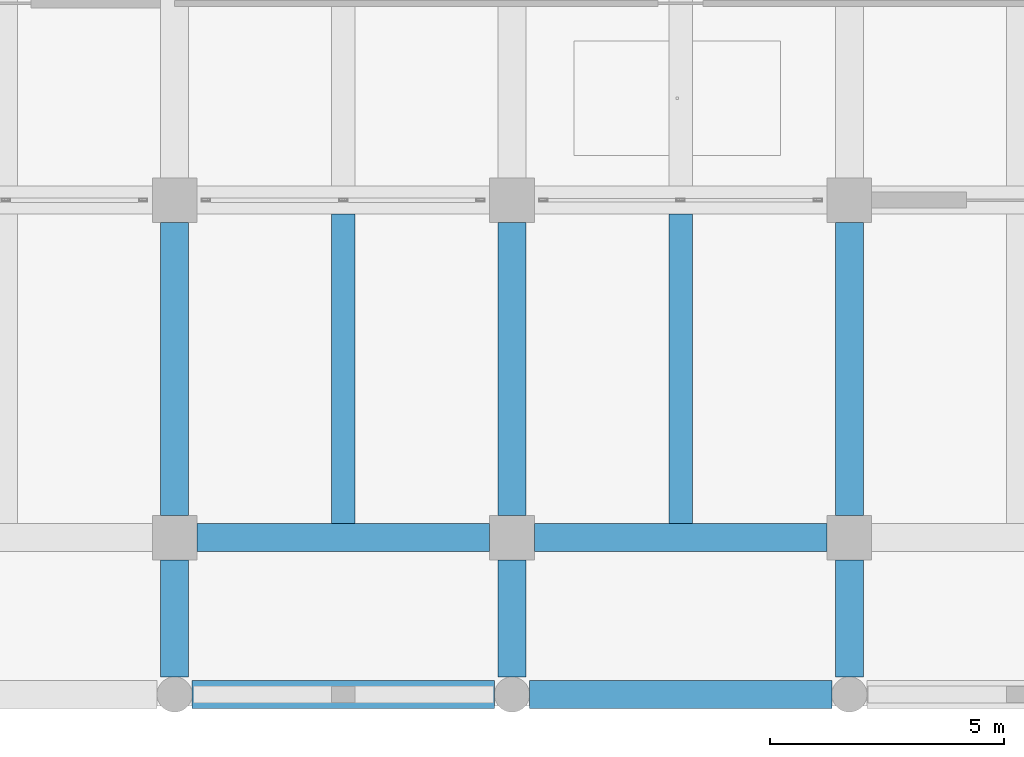
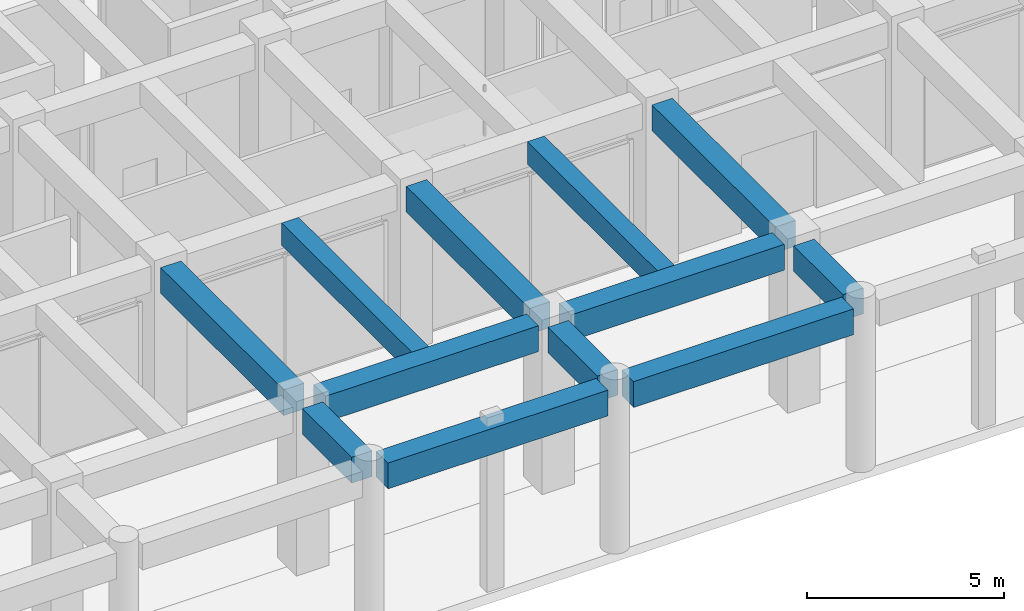
# One storey, part 8 of 56: 12 beams.
"""IFC4 building model written with IfcOpenShell, lengths in metres."""

from ifc_helpers import new_model, si_unit, direction, frame, origin, origin_2d, place, context, subcontext, project, spatial, rectangle, extrude, material, material_profile, profile_set, type_object, element, save


model = new_model("IFC4")

# Units and contexts
model_context = context("Model", 3, precision=1e-05, world=origin(), true_north=direction((0.0, 1.0)))
body_context = subcontext(model_context, "Body", "Model", "MODEL_VIEW")
ifc_project = project(units=[si_unit("LENGTHUNIT", "METRE"), si_unit("AREAUNIT", "SQUARE_METRE"), si_unit("VOLUMEUNIT", "CUBIC_METRE"), si_unit("PLANEANGLEUNIT", "RADIAN"), si_unit("MASSUNIT", "GRAM", prefix="KILO")], contexts=[model_context])

# Site, building, storey
site_placement = place(None, origin())
site = spatial("IfcSite", under=ifc_project, at=site_placement, CompositionType="ELEMENT")
building_placement = place(site_placement, origin())
building = spatial("IfcBuilding", under=site, at=building_placement, Name="Kazehaya Institute of Natural Sciences", CompositionType="ELEMENT")
storey_placement = place(building_placement, origin())
storey = spatial("IfcBuildingStorey", under=building, at=storey_placement, Name="L00", CompositionType="ELEMENT", Elevation=0.0)

# Beams
ifc_material = material(Name="Concrete Fc36", Category="concrete")
ifc_material_profile_1 = material_profile(ifc_material, rectangle(XDim=0.60009765625, YDim=0.800048828125, at=origin_2d()), Name="RC-600x800")
ifc_profile_set_1 = profile_set([ifc_material_profile_1], Name="Concrete Fc36")
beam_type_1 = type_object("IfcBeamType", Name="BM-G-600x800", PredefinedType="BEAM", material=ifc_profile_set_1)
for number, where, z_axis, x_axis, name in (
    (1, (69.375, 3.449951171875, 4.72998046875), (1.0, 0.0, 0.0), (0.0, 1.0, 0.0), "L00 primary X girder BMX-L00-690-34"),
    (2, (76.574951171875, 3.449951171875, 4.72998046875), (1.0, 0.0, 0.0), (0.0, 1.0, 0.0), "L00 primary X girder BMX-L00-762-34"),
):
    element("IfcBeam", number, at=place(storey_placement, frame(where, z_axis=z_axis, x_axis=x_axis)), inside=storey, type_object=beam_type_1, Name=name, PredefinedType="BEAM", context=body_context, shape_type="SweptSolid", body=[
        extrude(rectangle(XDim=0.60009765625, YDim=0.800048828125, at=origin_2d()), origin(), (0.0, 0.0, 1.0), 6.449951171875),
    ])
for number, where, z_axis, x_axis, name in (
    (3, (69.47509765625, 6.800048828125, 4.72998046875), (1.0, 0.0, 0.0), (0.0, 1.0, 0.0), "L00 primary X girder BMX-L00-690-68"),
    (4, (76.675048828125, 6.800048828125, 4.72998046875), (1.0, 0.0, 0.0), (0.0, 1.0, 0.0), "L00 primary X girder BMX-L00-762-68"),
):
    element("IfcBeam", number, at=place(storey_placement, frame(where, z_axis=z_axis, x_axis=x_axis)), inside=storey, type_object=beam_type_1, Name=name, PredefinedType="BEAM", context=body_context, shape_type="SweptSolid", body=[
        extrude(rectangle(XDim=0.60009765625, YDim=0.800048828125, at=origin_2d()), origin(), (0.0, 0.0, 1.0), 6.25),
    ])
beam_1_placement = place(storey_placement, frame((69.0, 3.824951171875, 4.72998046875), z_axis=(0.0, 1.0, 0.0), x_axis=(-1.0, 0.0, 0.0)))
element("IfcBeam", 5, at=beam_1_placement, inside=storey, type_object=beam_type_1, Name="L00 primary Y girder BMY-L00-690-34", PredefinedType="BEAM", context=body_context, shape_type="SweptSolid", body=[
    extrude(rectangle(XDim=0.60009765625, YDim=0.800048828125, at=origin_2d()), origin(), (0.0, 0.0, 1.0), 2.5),
])
beam_2_placement = place(storey_placement, frame((69.0, 7.27490234375, 4.72998046875), z_axis=(0.0, 1.0, 0.0), x_axis=(-1.0, 0.0, 0.0)))
element("IfcBeam", 6, at=beam_2_placement, inside=storey, type_object=beam_type_1, Name="L00 primary Y girder BMY-L00-690-68", PredefinedType="BEAM", context=body_context, shape_type="SweptSolid", body=[
    extrude(rectangle(XDim=0.60009765625, YDim=0.800048828125, at=origin_2d()), origin(), (0.0, 0.0, 1.0), 6.25),
])
beam_3_placement = place(storey_placement, frame((76.199951171875, 3.824951171875, 4.72998046875), z_axis=(0.0, 1.0, 0.0), x_axis=(-1.0, 0.0, 0.0)))
element("IfcBeam", 7, at=beam_3_placement, inside=storey, type_object=beam_type_1, Name="L00 primary Y girder BMY-L00-762-34", PredefinedType="BEAM", context=body_context, shape_type="SweptSolid", body=[
    extrude(rectangle(XDim=0.60009765625, YDim=0.800048828125, at=origin_2d()), origin(), (0.0, 0.0, 1.0), 2.5),
])
beam_4_placement = place(storey_placement, frame((76.199951171875, 7.27490234375, 4.72998046875), z_axis=(0.0, 1.0, 0.0), x_axis=(-1.0, 0.0, 0.0)))
element("IfcBeam", 8, at=beam_4_placement, inside=storey, type_object=beam_type_1, Name="L00 primary Y girder BMY-L00-762-68", PredefinedType="BEAM", context=body_context, shape_type="SweptSolid", body=[
    extrude(rectangle(XDim=0.60009765625, YDim=0.800048828125, at=origin_2d()), origin(), (0.0, 0.0, 1.0), 6.25),
])
beam_5_placement = place(storey_placement, frame((83.39990234375, 3.824951171875, 4.72998046875), z_axis=(0.0, 1.0, 0.0), x_axis=(-1.0, 0.0, 0.0)))
element("IfcBeam", 9, at=beam_5_placement, inside=storey, type_object=beam_type_1, Name="L00 primary Y girder BMY-L00-834-34", PredefinedType="BEAM", context=body_context, shape_type="SweptSolid", body=[
    extrude(rectangle(XDim=0.60009765625, YDim=0.800048828125, at=origin_2d()), origin(), (0.0, 0.0, 1.0), 2.5),
])
beam_6_placement = place(storey_placement, frame((83.39990234375, 7.27490234375, 4.72998046875), z_axis=(0.0, 1.0, 0.0), x_axis=(-1.0, 0.0, 0.0)))
element("IfcBeam", 10, at=beam_6_placement, inside=storey, type_object=beam_type_1, Name="L00 primary Y girder BMY-L00-834-68", PredefinedType="BEAM", context=body_context, shape_type="SweptSolid", body=[
    extrude(rectangle(XDim=0.60009765625, YDim=0.800048828125, at=origin_2d()), origin(), (0.0, 0.0, 1.0), 6.25),
])
ifc_material_profile_2 = material_profile(ifc_material, rectangle(XDim=0.5, YDim=0.699951171875, at=origin_2d()), Name="RC-500x700")
ifc_profile_set_2 = profile_set([ifc_material_profile_2], Name="Concrete Fc36")
beam_type_2 = type_object("IfcBeamType", Name="BM-J-500x700", PredefinedType="JOIST", material=ifc_profile_set_2)
for number, where, z_axis, x_axis, name in (
    (11, (72.60009765625, 7.10009765625, 4.780029296875), (0.0, 1.0, 0.0), (-1.0, 0.0, 0.0), "L00 secondary lab beam JST-L00-0003"),
    (12, (79.800048828125, 7.10009765625, 4.780029296875), (0.0, 1.0, 0.0), (-1.0, 0.0, 0.0), "L00 secondary lab beam JST-L00-0004"),
):
    element("IfcBeam", number, at=place(storey_placement, frame(where, z_axis=z_axis, x_axis=x_axis)), inside=storey, type_object=beam_type_2, Name=name, PredefinedType="JOIST", context=body_context, shape_type="SweptSolid", body=[
        extrude(rectangle(XDim=0.5, YDim=0.699951171875, at=origin_2d()), origin(), (0.0, 0.0, 1.0), 6.599853515625),
    ])

save(model, "model.ifc")
